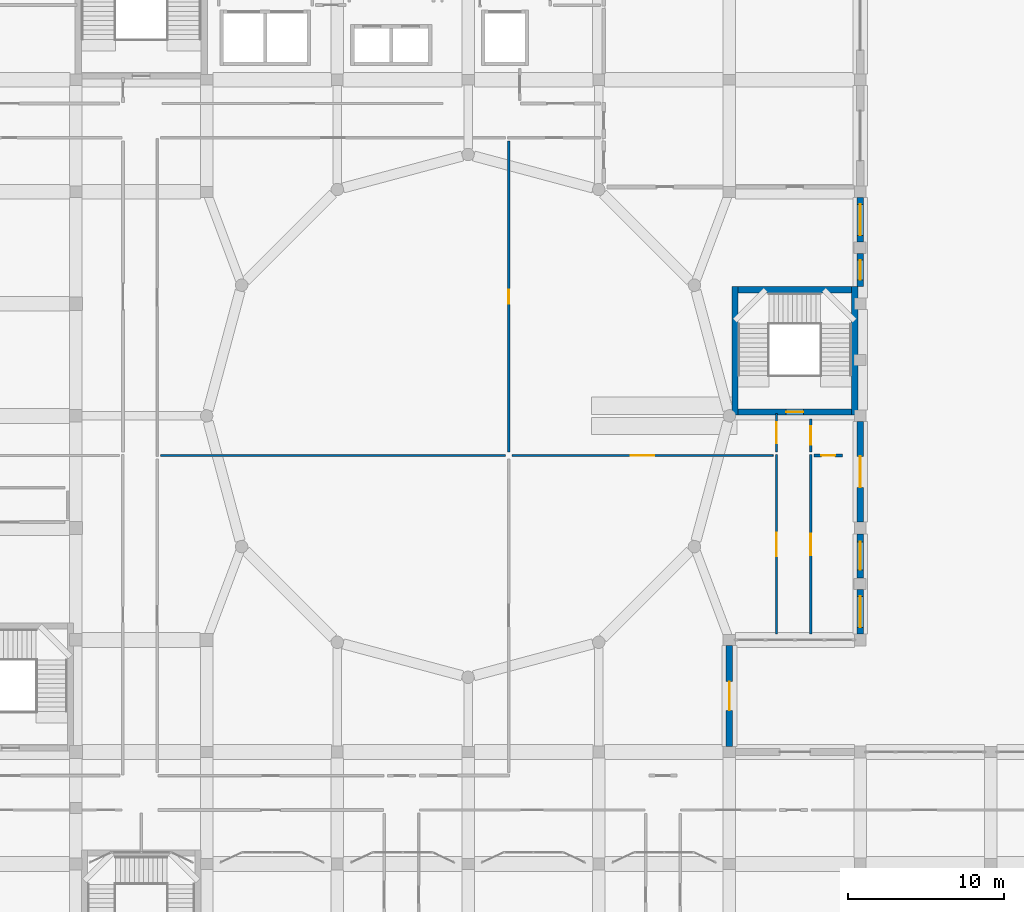
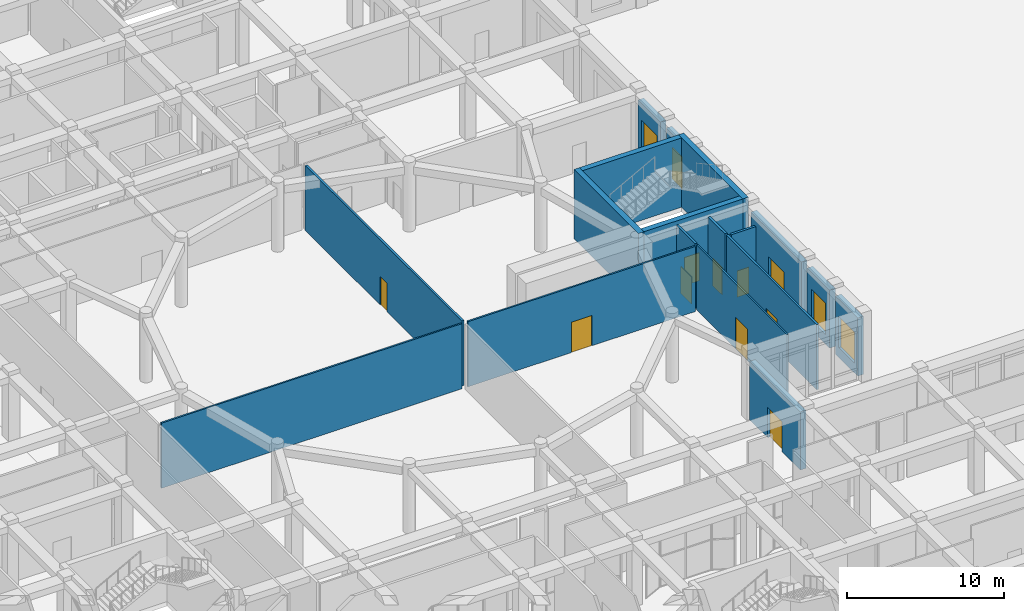
# One storey, part 69 of 84: 18 walls, 10 doors, 4 windows, 14 openings.
"""IFC4 building model written with IfcOpenShell, lengths in metres."""

from ifc_helpers import new_model, si_unit, derived_unit, direction, frame, frame_2d, origin, place, context, subcontext, project, spatial, rectangle, extrude, material, layer, layer_set, type_object, element, fill, save


model = new_model("IFC4")

# Units and contexts
model_context = context("Model", 3, precision=1e-05, world=origin(), true_north=direction((0.0, 1.0)))
body_context = subcontext(model_context, "Body", "Model", "MODEL_VIEW")
ifc_project = project(units=[si_unit("LENGTHUNIT", "METRE"), si_unit("AREAUNIT", "SQUARE_METRE"), si_unit("VOLUMEUNIT", "CUBIC_METRE"), si_unit("PLANEANGLEUNIT", "RADIAN"), si_unit("MASSUNIT", "GRAM", prefix="KILO"), derived_unit("THERMALTRANSMITTANCEUNIT", [(si_unit("POWERUNIT", "WATT"), 1), (si_unit("LENGTHUNIT", "METRE"), -2), (si_unit("THERMODYNAMICTEMPERATUREUNIT", "KELVIN"), -1)])], contexts=[model_context])

# Site, building, storey
site_placement = place(None, origin())
site = spatial("IfcSite", under=ifc_project, at=site_placement, CompositionType="ELEMENT")
building_placement = place(site_placement, origin())
building = spatial("IfcBuilding", under=site, at=building_placement, Name="Veybourne Emporium", CompositionType="ELEMENT")
storey_placement = place(building_placement, origin())
storey = spatial("IfcBuildingStorey", under=building, at=storey_placement, Name="L00", CompositionType="ELEMENT", Elevation=0.0)

# Wall, opening, door
ifc_material_1 = material(Name="Honed Black Granite Plinth", Category="masonry")
ifc_layer_1 = layer(ifc_material_1, 0.419921875)
ifc_layer_set_1 = layer_set([ifc_layer_1], Name="Honed Black Granite Plinth")
wall_type_1 = type_object("IfcWallType", Name="ExtWall_EW-02", PredefinedType="SOLIDWALL", material=ifc_layer_set_1)
wall_1_placement = place(storey_placement, frame((92.39990234375, 35.64990234375, 0.0), z_axis=(0.0, 0.0, 1.0), x_axis=(0.0, -1.0, 0.0)))
wall_1 = element("IfcWall", 1, at=wall_1_placement, inside=storey, type_object=wall_type_1, Name="Ground street granite plinth entrance wall 038", PredefinedType="SOLIDWALL", context=body_context, shape_type="SweptSolid", body=[
    extrude(rectangle(XDim=6.5, YDim=0.419921875, at=frame_2d((3.25, 0.0))), origin(), (0.0, 0.0, 1.0), 4.530029296875),
])
opening_1_placement = place(wall_1_placement, frame((2.324951171875, 0.0, 0.0)))
opening_1 = element("IfcOpeningElement", 2, at=opening_1_placement, cuts=wall_1, Name="Opening EX-04", PredefinedType="OPENING", context=body_context, shape_type="SweptSolid", body=[
    extrude(rectangle(XDim=1.85009765625, YDim=2.35009765625, at=frame_2d((0.925048828125, 1.175048828125))), frame((0.0, 0.22998046875, 0.0), z_axis=(0.0, -1.0, 0.0), x_axis=(1.0, 0.0, 0.0)), (0.0, 0.0, 1.0), 0.4599609375),
])
ifc_material_2 = material(Name="Patinated Architectural Bronze", Category="bronze")
door_type_1 = type_object("IfcDoorType", Name="ExitDoor_EX-04", OperationType="DOUBLE_DOOR_SINGLE_SWING", PredefinedType="DOOR", material=ifc_material_2)
door_1_placement = place(opening_1_placement, origin())
door_1 = element("IfcDoor", 3, at=door_1_placement, inside=storey, type_object=door_type_1, Name="Pedestrian final exit door EX-04 #21", OperationType="DOUBLE_DOOR_SINGLE_SWING", OverallHeight=2.35009765625, OverallWidth=1.85009765625, PredefinedType="DOOR", context=body_context, shape_type="SweptSolid", body=[
    extrude(rectangle(XDim=1.85009765625, YDim=2.35009765625, at=frame_2d((0.925048828125, 1.175048828125))), frame((0.0, 0.02490234375, 0.0), z_axis=(0.0, -1.0, 0.0), x_axis=(1.0, 0.0, 0.0)), (0.0, 0.0, 1.0), 0.050048828125),
])
fill(opening_1, door_1)

# Wall, opening, window
wall_2_placement = place(storey_placement, frame((100.800048828125, 42.824951171875, 0.0), z_axis=(0.0, 0.0, 1.0), x_axis=(0.0, -1.0, 0.0)))
wall_2 = element("IfcWall", 4, at=wall_2_placement, inside=storey, type_object=wall_type_1, Name="L00 Portland stone external wall 043A", PredefinedType="SOLIDWALL", context=body_context, shape_type="SweptSolid", body=[
    extrude(rectangle(XDim=2.85498046875, YDim=0.419921875, at=frame_2d((1.427490234375, 0.0))), origin(), (0.0, 0.0, 1.0), 4.530029296875),
])
opening_2_placement = place(wall_2_placement, frame((0.527587890625, 0.0, 0.75)))
opening_2 = element("IfcOpeningElement", 5, at=opening_2_placement, cuts=wall_2, Name="Opening W-28", PredefinedType="OPENING", context=body_context, shape_type="SweptSolid", body=[
    extrude(rectangle(XDim=1.800048828125, YDim=2.43994140625, at=frame_2d((0.89990234375, 1.219970703125))), frame((0.0, 0.22998046875, 0.0), z_axis=(0.0, -1.0, 0.0), x_axis=(1.0, 0.0, 0.0)), (0.0, 0.0, 1.0), 0.4599609375),
])
ifc_material_3 = material(Name="Low-E Triple Glazing", Category="glass")
window_type_1 = type_object("IfcWindowType", Name="Win_W-28", PartitioningType="DOUBLE_PANEL_VERTICAL", PredefinedType="WINDOW", material=ifc_material_3)
window_1_placement = place(opening_2_placement, origin())
window_1 = element("IfcWindow", 6, at=window_1_placement, inside=storey, type_object=window_type_1, Name="L00 tripartite bronze casement window W-28 (43A)", OverallHeight=2.43994140625, OverallWidth=1.800048828125, PartitioningType="DOUBLE_PANEL_VERTICAL", PredefinedType="WINDOW", context=body_context, shape_type="SweptSolid", body=[
    extrude(rectangle(XDim=1.800048828125, YDim=2.43994140625, at=frame_2d((0.89990234375, 1.219970703125))), frame((0.0, 0.030029296875, 0.0), z_axis=(0.0, -1.0, 0.0), x_axis=(1.0, 0.0, 0.0)), (0.0, 0.0, 1.0), 0.06005859375),
])
fill(opening_2, window_1)

wall_3_placement = place(storey_placement, frame((100.800048828125, 39.22998046875, 0.0), z_axis=(0.0, 0.0, 1.0), x_axis=(0.0, -1.0, 0.0)))
wall_3 = element("IfcWall", 7, at=wall_3_placement, inside=storey, type_object=wall_type_1, Name="L00 Portland stone external wall 043B", PredefinedType="SOLIDWALL", context=body_context, shape_type="SweptSolid", body=[
    extrude(rectangle(XDim=2.85498046875, YDim=0.419921875, at=frame_2d((1.427490234375, 0.0))), origin(), (0.0, 0.0, 1.0), 4.530029296875),
])
opening_3_placement = place(wall_3_placement, frame((0.427490234375, 0.0, 0.75)))
opening_3 = element("IfcOpeningElement", 8, at=opening_3_placement, cuts=wall_3, Name="Opening W-29", PredefinedType="OPENING", context=body_context, shape_type="SweptSolid", body=[
    extrude(rectangle(XDim=2.0, YDim=2.43994140625, at=frame_2d((1.0, 1.219970703125))), frame((0.0, 0.22998046875, 0.0), z_axis=(0.0, -1.0, 0.0), x_axis=(1.0, 0.0, 0.0)), (0.0, 0.0, 1.0), 0.4599609375),
])
window_type_2 = type_object("IfcWindowType", Name="Win_W-29", PartitioningType="TRIPLE_PANEL_VERTICAL", PredefinedType="WINDOW", material=ifc_material_3)
window_2_placement = place(opening_3_placement, origin())
window_2 = element("IfcWindow", 9, at=window_2_placement, inside=storey, type_object=window_type_2, Name="L00 tripartite bronze casement window W-29 (43B)", OverallHeight=2.43994140625, OverallWidth=2.0, PartitioningType="TRIPLE_PANEL_VERTICAL", PredefinedType="WINDOW", context=body_context, shape_type="SweptSolid", body=[
    extrude(rectangle(XDim=2.0, YDim=2.43994140625, at=frame_2d((1.0, 1.219970703125))), frame((0.0, 0.030029296875, 0.0), z_axis=(0.0, -1.0, 0.0), x_axis=(1.0, 0.0, 0.0)), (0.0, 0.0, 1.0), 0.06005859375),
])
fill(opening_3, window_2)

# Wall, opening, door
wall_4_placement = place(storey_placement, frame((100.800048828125, 50.02490234375, 0.0), z_axis=(0.0, 0.0, 1.0), x_axis=(0.0, -1.0, 0.0)))
wall_4 = element("IfcWall", 10, at=wall_4_placement, inside=storey, type_object=wall_type_1, Name="Ground street granite plinth entrance wall 044", PredefinedType="SOLIDWALL", context=body_context, shape_type="SweptSolid", body=[
    extrude(rectangle(XDim=6.449951171875, YDim=0.419921875, at=frame_2d((3.22509765625, 0.0))), origin(), (0.0, 0.0, 1.0), 4.530029296875),
])
opening_4_placement = place(wall_4_placement, frame((2.22509765625, 0.0, 0.0)))
opening_4 = element("IfcOpeningElement", 11, at=opening_4_placement, cuts=wall_4, Name="Opening EX-01", PredefinedType="OPENING", context=body_context, shape_type="SweptSolid", body=[
    extrude(rectangle(XDim=2.0, YDim=2.39990234375, at=frame_2d((1.0, 1.199951171875))), frame((0.0, 0.22998046875, 0.0), z_axis=(0.0, -1.0, 0.0), x_axis=(1.0, 0.0, 0.0)), (0.0, 0.0, 1.0), 0.4599609375),
])
door_type_2 = type_object("IfcDoorType", Name="ExitDoor_EX-01", OperationType="DOUBLE_DOOR_SINGLE_SWING", PredefinedType="DOOR", material=ifc_material_2)
door_2_placement = place(opening_4_placement, origin())
door_2 = element("IfcDoor", 12, at=door_2_placement, inside=storey, type_object=door_type_2, Name="Pedestrian final exit door EX-01 #24", OperationType="DOUBLE_DOOR_SINGLE_SWING", OverallHeight=2.39990234375, OverallWidth=2.0, PredefinedType="DOOR", context=body_context, shape_type="SweptSolid", body=[
    extrude(rectangle(XDim=2.0, YDim=2.39990234375, at=frame_2d((1.0, 1.199951171875))), frame((0.0, 0.02490234375, 0.0), z_axis=(0.0, -1.0, 0.0), x_axis=(1.0, 0.0, 0.0)), (0.0, 0.0, 1.0), 0.050048828125),
])
fill(opening_4, door_2)

# Wall, opening, window
wall_5_placement = place(storey_placement, frame((100.800048828125, 64.425048828125, 0.0), z_axis=(0.0, 0.0, 1.0), x_axis=(0.0, -1.0, 0.0)))
wall_5 = element("IfcWall", 13, at=wall_5_placement, inside=storey, type_object=wall_type_1, Name="L00 Portland stone external wall 046A", PredefinedType="SOLIDWALL", context=body_context, shape_type="SweptSolid", body=[
    extrude(rectangle(XDim=2.85498046875, YDim=0.419921875, at=frame_2d((1.427490234375, 0.0))), origin(), (0.0, 0.0, 1.0), 4.530029296875),
])
opening_5_placement = place(wall_5_placement, frame((0.427490234375, 0.0, 0.75)))
opening_5 = element("IfcOpeningElement", 14, at=opening_5_placement, cuts=wall_5, Name="Opening W-30", PredefinedType="OPENING", context=body_context, shape_type="SweptSolid", body=[
    extrude(rectangle(XDim=2.0, YDim=2.43994140625, at=frame_2d((1.0, 1.219970703125))), frame((0.0, 0.22998046875, 0.0), z_axis=(0.0, -1.0, 0.0), x_axis=(1.0, 0.0, 0.0)), (0.0, 0.0, 1.0), 0.4599609375),
])
window_type_3 = type_object("IfcWindowType", Name="Win_W-30", PartitioningType="TRIPLE_PANEL_VERTICAL", PredefinedType="WINDOW", material=ifc_material_3)
window_3_placement = place(opening_5_placement, origin())
window_3 = element("IfcWindow", 15, at=window_3_placement, inside=storey, type_object=window_type_3, Name="L00 tripartite bronze casement window W-30 (46A)", OverallHeight=2.43994140625, OverallWidth=2.0, PartitioningType="TRIPLE_PANEL_VERTICAL", PredefinedType="WINDOW", context=body_context, shape_type="SweptSolid", body=[
    extrude(rectangle(XDim=2.0, YDim=2.43994140625, at=frame_2d((1.0, 1.219970703125))), frame((0.0, 0.030029296875, 0.0), z_axis=(0.0, -1.0, 0.0), x_axis=(1.0, 0.0, 0.0)), (0.0, 0.0, 1.0), 0.06005859375),
])
fill(opening_5, window_3)

wall_6_placement = place(storey_placement, frame((100.800048828125, 60.830078125, 0.0), z_axis=(0.0, 0.0, 1.0), x_axis=(0.0, -1.0, 0.0)))
wall_6 = element("IfcWall", 16, at=wall_6_placement, inside=storey, type_object=wall_type_1, Name="L00 Portland stone external wall 046B", PredefinedType="SOLIDWALL", context=body_context, shape_type="SweptSolid", body=[
    extrude(rectangle(XDim=2.110107421875, YDim=0.419921875, at=frame_2d((1.05517578125, 0.0))), origin(), (0.0, 0.0, 1.0), 4.530029296875),
])
opening_6_placement = place(wall_6_placement, frame((0.425048828125, 0.0, 0.75)))
opening_6 = element("IfcOpeningElement", 17, at=opening_6_placement, cuts=wall_6, Name="Opening W-31", PredefinedType="OPENING", context=body_context, shape_type="SweptSolid", body=[
    extrude(rectangle(XDim=1.260009765625, YDim=2.43994140625, at=frame_2d((0.6298828125, 1.219970703125))), frame((0.0, 0.22998046875, 0.0), z_axis=(0.0, -1.0, 0.0), x_axis=(1.0, 0.0, 0.0)), (0.0, 0.0, 1.0), 0.4599609375),
])
window_type_4 = type_object("IfcWindowType", Name="Win_W-31", PartitioningType="TRIPLE_PANEL_VERTICAL", PredefinedType="WINDOW", material=ifc_material_3)
window_4_placement = place(opening_6_placement, origin())
window_4 = element("IfcWindow", 18, at=window_4_placement, inside=storey, type_object=window_type_4, Name="L00 tripartite bronze casement window W-31 (46B)", OverallHeight=2.43994140625, OverallWidth=1.260009765625, PartitioningType="TRIPLE_PANEL_VERTICAL", PredefinedType="WINDOW", context=body_context, shape_type="SweptSolid", body=[
    extrude(rectangle(XDim=1.260009765625, YDim=2.43994140625, at=frame_2d((0.6298828125, 1.219970703125))), frame((0.0, 0.030029296875, 0.0), z_axis=(0.0, -1.0, 0.0), x_axis=(1.0, 0.0, 0.0)), (0.0, 0.0, 1.0), 0.06005859375),
])
fill(opening_6, window_4)

# Wall, opening, door
ifc_material_4 = material(Name="Concrete C40/50", Category="concrete")
ifc_layer_2 = layer(ifc_material_4, 0.39990234375)
ifc_layer_set_2 = layer_set([ifc_layer_2], Name="Concrete C40/50")
wall_type_2 = type_object("IfcWallType", Name="IntWall_CW-01", PredefinedType="SHEAR", material=ifc_layer_set_2)
wall_7_placement = place(storey_placement, frame((100.25, 50.64990234375, 0.0), z_axis=(0.0, 0.0, 1.0), x_axis=(-1.0, 0.0, 0.0)))
wall_7 = element("IfcWall", 19, at=wall_7_placement, inside=storey, type_object=wall_type_2, Name="Core stair ST-07 south shear wall (L00)", PredefinedType="SHEAR", context=body_context, shape_type="SweptSolid", body=[
    extrude(rectangle(XDim=7.300048828125, YDim=0.39990234375, at=frame_2d((3.64990234375, 0.0))), origin(), (0.0, 0.0, 1.0), 5.39990234375),
])
opening_7_placement = place(wall_7_placement, frame((3.10009765625, 0.0, 0.0)))
opening_7 = element("IfcOpeningElement", 20, at=opening_7_placement, cuts=wall_7, Name="Opening FD-01", PredefinedType="OPENING", context=body_context, shape_type="SweptSolid", body=[
    extrude(rectangle(XDim=1.10009765625, YDim=2.199951171875, at=frame_2d((0.550048828125, 1.10009765625))), frame((0.0, 0.219970703125, 0.0), z_axis=(0.0, -1.0, 0.0), x_axis=(1.0, 0.0, 0.0)), (0.0, 0.0, 1.0), 0.43994140625),
])
door_type_3 = type_object("IfcDoorType", Name="FireDoor_FD-01", OperationType="NOTDEFINED", PredefinedType="DOOR", material=ifc_material_2)
door_3_placement = place(opening_7_placement, origin())
door_3 = element("IfcDoor", 21, at=door_3_placement, inside=storey, type_object=door_type_3, Name="Stair ST-07 fire door (L00)", OperationType="SINGLE_SWING_RIGHT", OverallHeight=2.199951171875, OverallWidth=1.10009765625, PredefinedType="DOOR", context=body_context, shape_type="SweptSolid", body=[
    extrude(rectangle(XDim=1.10009765625, YDim=2.199951171875, at=frame_2d((0.550048828125, 1.10009765625))), frame((0.0, 0.02490234375, 0.0), z_axis=(0.0, -1.0, 0.0), x_axis=(1.0, 0.0, 0.0)), (0.0, 0.0, 1.0), 0.050048828125),
])
fill(opening_7, door_3)

# Walls
wall_8_placement = place(storey_placement, frame((92.949951171875, 58.5, 0.0), z_axis=(0.0, 0.0, 1.0), x_axis=(1.0, 0.0, 0.0)))
element("IfcWall", 22, at=wall_8_placement, inside=storey, type_object=wall_type_2, Name="Core stair ST-07 north shear wall (L00)", PredefinedType="SHEAR", context=body_context, shape_type="SweptSolid", body=[
    extrude(rectangle(XDim=7.300048828125, YDim=0.39990234375, at=frame_2d((3.64990234375, 0.0))), origin(), (0.0, 0.0, 1.0), 5.39990234375),
])
for number, where, z_axis, x_axis, name in (
    (23, (92.75, 58.699951171875, 0.0), (0.0, 0.0, 1.0), (0.0, -1.0, 0.0), "Core stair ST-07 west shear wall (L00)"),
    (24, (100.449951171875, 50.449951171875, 0.0), (0.0, 0.0, 1.0), (0.0, 1.0, 0.0), "Core stair ST-07 east shear wall (L00)"),
):
    element("IfcWall", number, at=place(storey_placement, frame(where, z_axis=z_axis, x_axis=x_axis)), inside=storey, type_object=wall_type_2, Name=name, PredefinedType="SHEAR", context=body_context, shape_type="SweptSolid", body=[
        extrude(rectangle(XDim=8.25, YDim=0.39990234375, at=frame_2d((4.125, 0.0))), origin(), (0.0, 0.0, 1.0), 5.39990234375),
    ])

# Wall, opening, door
ifc_material_5 = material(Name="Gypsum Acoustic Board", Category="gypsum")
ifc_layer_3 = layer(ifc_material_5, 0.179931640625)
ifc_layer_set_3 = layer_set([ifc_layer_3], Name="Gypsum Acoustic Board")
wall_type_3 = type_object("IfcWallType", Name="IntWall_IW-01", PredefinedType="PARTITIONING", material=ifc_layer_set_3)
wall_9_placement = place(storey_placement, frame((97.840087890625, 47.85498046875, 0.0), z_axis=(0.0, 0.0, 1.0), x_axis=(1.0, 0.0, 0.0)))
wall_9 = element("IfcWall", 25, at=wall_9_placement, inside=storey, type_object=wall_type_3, Name="L00 interior partition IW-01 #146", PredefinedType="PARTITIONING", context=body_context, shape_type="SweptSolid", body=[
    extrude(rectangle(XDim=1.82666015625, YDim=0.179931640625, at=frame_2d((0.913330078125, 0.0))), origin(), (0.0, 0.0, 1.0), 5.080078125),
])
opening_8_placement = place(wall_9_placement, frame((0.473388671875, 0.0, 0.0)))
opening_8 = element("IfcOpeningElement", 26, at=opening_8_placement, cuts=wall_9, Name="Opening D-01", PredefinedType="OPENING", context=body_context, shape_type="SweptSolid", body=[
    extrude(rectangle(XDim=0.8798828125, YDim=2.050048828125, at=frame_2d((0.43994140625, 1.02490234375))), frame((0.0, 0.10986328125, 0.0), z_axis=(0.0, -1.0, 0.0), x_axis=(1.0, 0.0, 0.0)), (0.0, 0.0, 1.0), 0.219970703125),
])
ifc_material_6 = material(Name="European Oak Veneer and Bronze", Category="wood")
door_type_4 = type_object("IfcDoorType", Name="IntDoor_D-01", OperationType="NOTDEFINED", PredefinedType="DOOR", material=ifc_material_6)
door_4_placement = place(opening_8_placement, origin())
door_4 = element("IfcDoor", 27, at=door_4_placement, inside=storey, type_object=door_type_4, Name="L00 interior door D-01 (PART-L00-146)", OperationType="SINGLE_SWING_LEFT", OverallHeight=2.050048828125, OverallWidth=0.8798828125, PredefinedType="DOOR", context=body_context, shape_type="SweptSolid", body=[
    extrude(rectangle(XDim=0.8798828125, YDim=2.050048828125, at=frame_2d((0.43994140625, 1.02490234375))), frame((0.0, 0.02490234375, 0.0), z_axis=(0.0, -1.0, 0.0), x_axis=(1.0, 0.0, 0.0)), (0.0, 0.0, 1.0), 0.050048828125),
])
fill(opening_8, door_4)

wall_10_placement = place(storey_placement, frame((97.6298828125, 48.06494140625, 0.0), z_axis=(0.0, 0.0, 1.0), x_axis=(0.0, 1.0, 0.0)))
wall_10 = element("IfcWall", 28, at=wall_10_placement, inside=storey, type_object=wall_type_3, Name="L00 interior partition IW-01 #149", PredefinedType="PARTITIONING", context=body_context, shape_type="SweptSolid", body=[
    extrude(rectangle(XDim=2.146484375, YDim=0.179931640625, at=frame_2d((1.0732421875, 0.0))), origin(), (0.0, 0.0, 1.0), 5.080078125),
])
opening_9_placement = place(wall_10_placement, frame((0.47314453125, 0.0, 0.0)))
opening_9 = element("IfcOpeningElement", 29, at=opening_9_placement, cuts=wall_10, Name="Opening D-09", PredefinedType="OPENING", context=body_context, shape_type="SweptSolid", body=[
    extrude(rectangle(XDim=1.199951171875, YDim=2.1298828125, at=frame_2d((0.60009765625, 1.06494140625))), frame((0.0, 0.10986328125, 0.0), z_axis=(0.0, -1.0, 0.0), x_axis=(1.0, 0.0, 0.0)), (0.0, 0.0, 1.0), 0.219970703125),
])
door_type_5 = type_object("IfcDoorType", Name="IntDoor_D-09", OperationType="NOTDEFINED", PredefinedType="DOOR", material=ifc_material_6)
door_5_placement = place(opening_9_placement, frame((1.199951171875, 0.0, 0.0), z_axis=(0.0, 0.0, 1.0), x_axis=(-1.0, 0.0, 0.0)))
door_5 = element("IfcDoor", 30, at=door_5_placement, inside=storey, type_object=door_type_5, Name="L00 interior door D-09 (PART-L00-149)", OperationType="SINGLE_SWING_LEFT", OverallHeight=2.1298828125, OverallWidth=1.199951171875, PredefinedType="DOOR", context=body_context, shape_type="SweptSolid", body=[
    extrude(rectangle(XDim=1.199951171875, YDim=2.1298828125, at=frame_2d((0.60009765625, 1.06494140625))), frame((0.0, 0.02490234375, 0.0), z_axis=(0.0, -1.0, 0.0), x_axis=(1.0, 0.0, 0.0)), (0.0, 0.0, 1.0), 0.050048828125),
])
fill(opening_9, door_5)

ifc_layer_4 = layer(ifc_material_5, 0.14990234375)
ifc_layer_set_4 = layer_set([ifc_layer_4], Name="Gypsum Acoustic Board")
wall_type_4 = type_object("IfcWallType", Name="IntWall_IW-02", PredefinedType="PARTITIONING", material=ifc_layer_set_4)
wall_11_placement = place(storey_placement, frame((78.215087890625, 48.06494140625, 0.0), z_axis=(0.0, 0.0, 1.0), x_axis=(0.0, 1.0, 0.0)))
wall_11 = element("IfcWall", 31, at=wall_11_placement, inside=storey, type_object=wall_type_4, Name="L00 interior partition IW-02 #009", PredefinedType="PARTITIONING", context=body_context, shape_type="SweptSolid", body=[
    extrude(rectangle(XDim=19.9951171875, YDim=0.14990234375, at=frame_2d((9.99755859375, 0.0))), origin(), (0.0, 0.0, 1.0), 5.080078125),
])
opening_10_placement = place(wall_11_placement, frame((9.5576171875, 0.0, 0.0)))
opening_10 = element("IfcOpeningElement", 32, at=opening_10_placement, cuts=wall_11, Name="Opening D-13", PredefinedType="OPENING", context=body_context, shape_type="SweptSolid", body=[
    extrude(rectangle(XDim=0.8798828125, YDim=2.2099609375, at=frame_2d((0.43994140625, 1.10498046875))), frame((0.0, 0.094970703125, 0.0), z_axis=(0.0, -1.0, 0.0), x_axis=(1.0, 0.0, 0.0)), (0.0, 0.0, 1.0), 0.18994140625),
])
door_type_6 = type_object("IfcDoorType", Name="IntDoor_D-13", OperationType="NOTDEFINED", PredefinedType="DOOR", material=ifc_material_6)
door_6_placement = place(opening_10_placement, origin())
door_6 = element("IfcDoor", 33, at=door_6_placement, inside=storey, type_object=door_type_6, Name="L00 interior door D-13 (PART-L00-009)", OperationType="SINGLE_SWING_LEFT", OverallHeight=2.2099609375, OverallWidth=0.8798828125, PredefinedType="DOOR", context=body_context, shape_type="SweptSolid", body=[
    extrude(rectangle(XDim=0.8798828125, YDim=2.2099609375, at=frame_2d((0.43994140625, 1.10498046875))), frame((0.0, 0.02490234375, 0.0), z_axis=(0.0, -1.0, 0.0), x_axis=(1.0, 0.0, 0.0)), (0.0, 0.0, 1.0), 0.050048828125),
])
fill(opening_10, door_6)

wall_12_placement = place(storey_placement, frame((97.6298828125, 36.3701171875, 0.0), z_axis=(0.0, 0.0, 1.0), x_axis=(0.0, 1.0, 0.0)))
wall_12 = element("IfcWall", 34, at=wall_12_placement, inside=storey, type_object=wall_type_4, Name="L00 interior partition IW-02 #066", PredefinedType="PARTITIONING", context=body_context, shape_type="SweptSolid", body=[
    extrude(rectangle(XDim=11.534912109375, YDim=0.14990234375, at=frame_2d((5.767578125, 0.0))), origin(), (0.0, 0.0, 1.0), 5.080078125),
])
opening_11_placement = place(wall_12_placement, frame((5.08740234375, 0.0, 0.0)))
opening_11 = element("IfcOpeningElement", 35, at=opening_11_placement, cuts=wall_12, Name="Opening D-34", PredefinedType="OPENING", context=body_context, shape_type="SweptSolid", body=[
    extrude(rectangle(XDim=1.360107421875, YDim=2.449951171875, at=frame_2d((0.68017578125, 1.22509765625))), frame((0.0, 0.094970703125, 0.0), z_axis=(0.0, -1.0, 0.0), x_axis=(1.0, 0.0, 0.0)), (0.0, 0.0, 1.0), 0.18994140625),
])
door_type_7 = type_object("IfcDoorType", Name="IntDoor_D-34", OperationType="NOTDEFINED", PredefinedType="DOOR", material=ifc_material_6)
door_7_placement = place(opening_11_placement, frame((1.360107421875, 0.0, 0.0), z_axis=(0.0, 0.0, 1.0), x_axis=(-1.0, 0.0, 0.0)))
door_7 = element("IfcDoor", 36, at=door_7_placement, inside=storey, type_object=door_type_7, Name="L00 interior door D-34 (PART-L00-066)", OperationType="SINGLE_SWING_LEFT", OverallHeight=2.449951171875, OverallWidth=1.360107421875, PredefinedType="DOOR", context=body_context, shape_type="SweptSolid", body=[
    extrude(rectangle(XDim=1.360107421875, YDim=2.449951171875, at=frame_2d((0.68017578125, 1.22509765625))), frame((0.0, 0.02490234375, 0.0), z_axis=(0.0, -1.0, 0.0), x_axis=(1.0, 0.0, 0.0)), (0.0, 0.0, 1.0), 0.050048828125),
])
fill(opening_11, door_7)

wall_13_placement = place(storey_placement, frame((95.419921875, 48.06494140625, 0.0), z_axis=(0.0, 0.0, 1.0), x_axis=(0.0, 1.0, 0.0)))
wall_13 = element("IfcWall", 37, at=wall_13_placement, inside=storey, type_object=wall_type_4, Name="L00 interior partition IW-02 #150", PredefinedType="PARTITIONING", context=body_context, shape_type="SweptSolid", body=[
    extrude(rectangle(XDim=2.4951171875, YDim=0.14990234375, at=frame_2d((1.24755859375, 0.0))), origin(), (0.0, 0.0, 1.0), 5.080078125),
])
opening_12_placement = place(wall_13_placement, frame((0.5673828125, 0.0, 0.0)))
opening_12 = element("IfcOpeningElement", 38, at=opening_12_placement, cuts=wall_13, Name="Opening D-10", PredefinedType="OPENING", context=body_context, shape_type="SweptSolid", body=[
    extrude(rectangle(XDim=1.360107421875, YDim=2.1298828125, at=frame_2d((0.68017578125, 1.06494140625))), frame((0.0, 0.094970703125, 0.0), z_axis=(0.0, -1.0, 0.0), x_axis=(1.0, 0.0, 0.0)), (0.0, 0.0, 1.0), 0.18994140625),
])
door_type_8 = type_object("IfcDoorType", Name="IntDoor_D-10", OperationType="NOTDEFINED", PredefinedType="DOOR", material=ifc_material_6)
door_8_placement = place(opening_12_placement, origin())
door_8 = element("IfcDoor", 39, at=door_8_placement, inside=storey, type_object=door_type_8, Name="L00 interior door D-10 (PART-L00-150)", OperationType="SINGLE_SWING_RIGHT", OverallHeight=2.1298828125, OverallWidth=1.360107421875, PredefinedType="DOOR", context=body_context, shape_type="SweptSolid", body=[
    extrude(rectangle(XDim=1.360107421875, YDim=2.1298828125, at=frame_2d((0.68017578125, 1.06494140625))), frame((0.0, 0.02490234375, 0.0), z_axis=(0.0, -1.0, 0.0), x_axis=(1.0, 0.0, 0.0)), (0.0, 0.0, 1.0), 0.050048828125),
])
fill(opening_12, door_8)

ifc_layer_5 = layer(ifc_material_5, 0.1201171875)
ifc_layer_set_5 = layer_set([ifc_layer_5], Name="Gypsum Acoustic Board")
wall_type_5 = type_object("IfcWallType", Name="IntWall_IW-03", PredefinedType="PARTITIONING", material=ifc_layer_set_5)
wall_14_placement = place(storey_placement, frame((78.425048828125, 47.85498046875, 0.0), z_axis=(0.0, 0.0, 1.0), x_axis=(1.0, 0.0, 0.0)))
wall_14 = element("IfcWall", 40, at=wall_14_placement, inside=storey, type_object=wall_type_5, Name="L00 interior partition IW-03 #025", PredefinedType="PARTITIONING", context=body_context, shape_type="SweptSolid", body=[
    extrude(rectangle(XDim=16.784912109375, YDim=0.1201171875, at=frame_2d((8.392578125, 0.0))), origin(), (0.0, 0.0, 1.0), 5.080078125),
])
opening_13_placement = place(wall_14_placement, frame((7.632568359375, 0.0, 0.0)))
opening_13 = element("IfcOpeningElement", 41, at=opening_13_placement, cuts=wall_14, Name="Opening D-29", PredefinedType="OPENING", context=body_context, shape_type="SweptSolid", body=[
    extrude(rectangle(XDim=1.52001953125, YDim=2.3701171875, at=frame_2d((0.760009765625, 1.18505859375))), frame((0.0, 0.080078125, 0.0), z_axis=(0.0, -1.0, 0.0), x_axis=(1.0, 0.0, 0.0)), (0.0, 0.0, 1.0), 0.16015625),
])
door_type_9 = type_object("IfcDoorType", Name="IntDoor_D-29", OperationType="NOTDEFINED", PredefinedType="DOOR", material=ifc_material_6)
door_9_placement = place(opening_13_placement, origin())
door_9 = element("IfcDoor", 42, at=door_9_placement, inside=storey, type_object=door_type_9, Name="L00 interior door D-29 (PART-L00-025)", OperationType="SINGLE_SWING_LEFT", OverallHeight=2.3701171875, OverallWidth=1.52001953125, PredefinedType="DOOR", context=body_context, shape_type="SweptSolid", body=[
    extrude(rectangle(XDim=1.52001953125, YDim=2.3701171875, at=frame_2d((0.760009765625, 1.18505859375))), frame((0.0, 0.02490234375, 0.0), z_axis=(0.0, -1.0, 0.0), x_axis=(1.0, 0.0, 0.0)), (0.0, 0.0, 1.0), 0.050048828125),
])
fill(opening_13, door_9)

wall_15_placement = place(storey_placement, frame((95.419921875, 36.3701171875, 0.0), z_axis=(0.0, 0.0, 1.0), x_axis=(0.0, 1.0, 0.0)))
wall_15 = element("IfcWall", 43, at=wall_15_placement, inside=storey, type_object=wall_type_5, Name="L00 interior partition IW-03 #067", PredefinedType="PARTITIONING", context=body_context, shape_type="SweptSolid", body=[
    extrude(rectangle(XDim=11.534912109375, YDim=0.1201171875, at=frame_2d((5.767578125, 0.0))), origin(), (0.0, 0.0, 1.0), 5.080078125),
])
opening_14_placement = place(wall_15_placement, frame((5.007568359375, 0.0, 0.0)))
opening_14 = element("IfcOpeningElement", 44, at=opening_14_placement, cuts=wall_15, Name="Opening D-35", PredefinedType="OPENING", context=body_context, shape_type="SweptSolid", body=[
    extrude(rectangle(XDim=1.52001953125, YDim=2.449951171875, at=frame_2d((0.760009765625, 1.22509765625))), frame((0.0, 0.080078125, 0.0), z_axis=(0.0, -1.0, 0.0), x_axis=(1.0, 0.0, 0.0)), (0.0, 0.0, 1.0), 0.16015625),
])
door_type_10 = type_object("IfcDoorType", Name="IntDoor_D-35", OperationType="NOTDEFINED", PredefinedType="DOOR", material=ifc_material_6)
door_10_placement = place(opening_14_placement, origin())
door_10 = element("IfcDoor", 45, at=door_10_placement, inside=storey, type_object=door_type_10, Name="L00 interior door D-35 (PART-L00-067)", OperationType="SINGLE_SWING_RIGHT", OverallHeight=2.449951171875, OverallWidth=1.52001953125, PredefinedType="DOOR", context=body_context, shape_type="SweptSolid", body=[
    extrude(rectangle(XDim=1.52001953125, YDim=2.449951171875, at=frame_2d((0.760009765625, 1.22509765625))), frame((0.0, 0.02490234375, 0.0), z_axis=(0.0, -1.0, 0.0), x_axis=(1.0, 0.0, 0.0)), (0.0, 0.0, 1.0), 0.050048828125),
])
fill(opening_14, door_10)

# Wall
wall_16_placement = place(storey_placement, frame((55.840087890625, 47.85498046875, 0.0), z_axis=(0.0, 0.0, 1.0), x_axis=(1.0, 0.0, 0.0)))
element("IfcWall", 46, at=wall_16_placement, inside=storey, type_object=wall_type_5, Name="L00 interior partition IW-03 #199", PredefinedType="PARTITIONING", context=body_context, shape_type="SweptSolid", body=[
    extrude(rectangle(XDim=22.164794921875, YDim=0.1201171875, at=frame_2d((11.08251953125, 0.0))), origin(), (0.0, 0.0, 1.0), 5.080078125),
])

save(model, "model.ifc")
